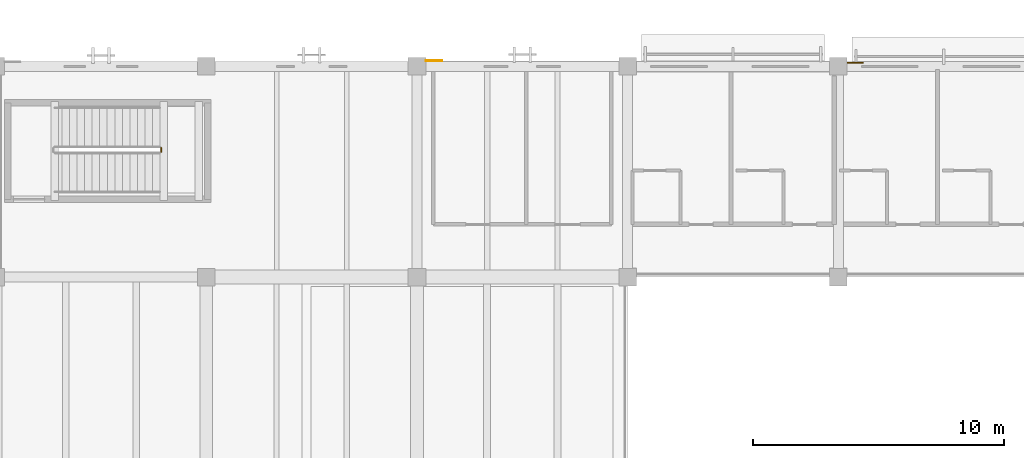
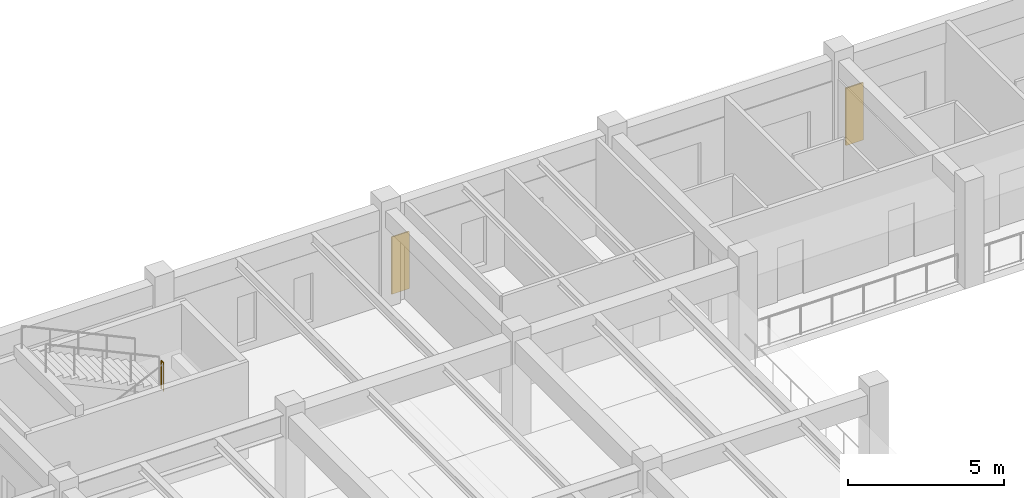
# One storey, part 124 of 132: 2 coverings, 1 railing.
"""IFC4 building model written with IfcOpenShell, lengths in metres."""

from ifc_helpers import new_model, si_unit, direction, frame, origin, origin_2d, place, context, subcontext, project, spatial, polyline, circle, outline, extrude, material, layer, layer_set, type_object, element, save


model = new_model("IFC4")

# Units and contexts
model_context = context("Model", 3, precision=1e-05, world=origin(), true_north=direction((0.0, 1.0)))
body_context = subcontext(model_context, "Body", "Model", "MODEL_VIEW")
ifc_project = project(units=[si_unit("LENGTHUNIT", "METRE"), si_unit("AREAUNIT", "SQUARE_METRE"), si_unit("VOLUMEUNIT", "CUBIC_METRE"), si_unit("PLANEANGLEUNIT", "RADIAN"), si_unit("MASSUNIT", "GRAM", prefix="KILO")], contexts=[model_context])

# Site, building, storey
site_placement = place(None, origin())
site = spatial("IfcSite", under=ifc_project, at=site_placement, CompositionType="ELEMENT")
building_placement = place(site_placement, origin())
building = spatial("IfcBuilding", under=site, at=building_placement, Name="Cumbredor Promenade Congress Hotel", CompositionType="ELEMENT")
storey_placement = place(building_placement, frame((0.0, 0.0, 7.56005859375)))
storey = spatial("IfcBuildingStorey", under=building, at=storey_placement, Name="L02", CompositionType="ELEMENT", Elevation=7.56005859375)

# Covering
ifc_material_1 = material(Name="Precast concrete C40/50", Category="concrete")
ifc_layer_1 = layer(ifc_material_1, 0.044921875, Name="Precast concrete C40/50", Category="concrete")
ifc_layer_set_1 = layer_set([ifc_layer_1], Name="Precast concrete C40/50")
covering_type_1 = type_object("IfcCoveringType", Name="Board-Formed Architectural Cladding Panel 45mm", PredefinedType="CLADDING", material=ifc_layer_set_1)
covering_1_placement = place(storey_placement, origin())
element("IfcCovering", 1, at=covering_1_placement, inside=storey, type_object=covering_type_1, Name="L02 Facade Stone Cladding Pier 114", PredefinedType="CLADDING", context=body_context, shape_type="SweptSolid", body=[
    extrude(outline(polyline([(126.35107421875, 117.72998046875), (127.0009765625, 117.72998046875), (127.0009765625, 117.77490234375), (126.35107421875, 117.77490234375), (126.35107421875, 117.72998046875)])), origin(), (0.0, 0.0, 1.0), 2.25),
])

# Railing
ifc_material_2 = material(Name="Brushed stainless steel", Category="steel")
railing_type = type_object("IfcRailingType", Name="Interior Void & Stair Guardrail GR-1100", PredefinedType="GUARDRAIL", material=ifc_material_2)
railing_placement = place(storey_placement, frame((99.0, 114.199951171875, 2.099853515625)))
element("IfcRailing", 2, at=railing_placement, inside=storey, type_object=railing_type, Name="L02 ST-15 stair guard 2", PredefinedType="GUARDRAIL", context=body_context, shape_type="SweptSolid", body=[
    extrude(circle(Radius=0.02392578125, at=origin_2d()), frame((0.0, 0.0, 1.09619140625), z_axis=(0.0, 1.0, 0.0), x_axis=(-1.0, 0.0, 0.0)), (0.0, 0.0, 1.0), 0.150146484375),
    extrude(circle(Radius=0.02099609375, at=origin_2d()), origin(), (0.0, 0.0, 1.0), 1.072021484375),
    extrude(circle(Radius=0.02099609375, at=origin_2d()), frame((0.0, 0.150146484375, 0.0)), (0.0, 0.0, 1.0), 1.072021484375),
])

# Covering
ifc_material_3 = material(Name="Volcanic andesite ashlar cladding", Category="masonry")
ifc_layer_2 = layer(ifc_material_3, 0.034912109375, Name="Volcanic andesite ashlar cladding", Category="masonry")
ifc_layer_set_2 = layer_set([ifc_layer_2], Name="Volcanic andesite ashlar cladding")
covering_type_2 = type_object("IfcCoveringType", Name="Volcanic Andesite Ashlar Rainscreen Cladding 35mm", PredefinedType="CLADDING", material=ifc_layer_set_2)
covering_2_placement = place(storey_placement, origin())
element("IfcCovering", 3, at=covering_2_placement, inside=storey, type_object=covering_type_2, Name="L02 Facade Stone Cladding Pier 113", PredefinedType="CLADDING", context=body_context, shape_type="SweptSolid", body=[
    extrude(outline(polyline([(109.551025390625, 117.8125), (110.200927734375, 117.8125), (110.200927734375, 117.847412109375), (109.551025390625, 117.847412109375), (109.551025390625, 117.8125)])), origin(), (0.0, 0.0, 1.0), 2.25),
])

save(model, "model.ifc")
